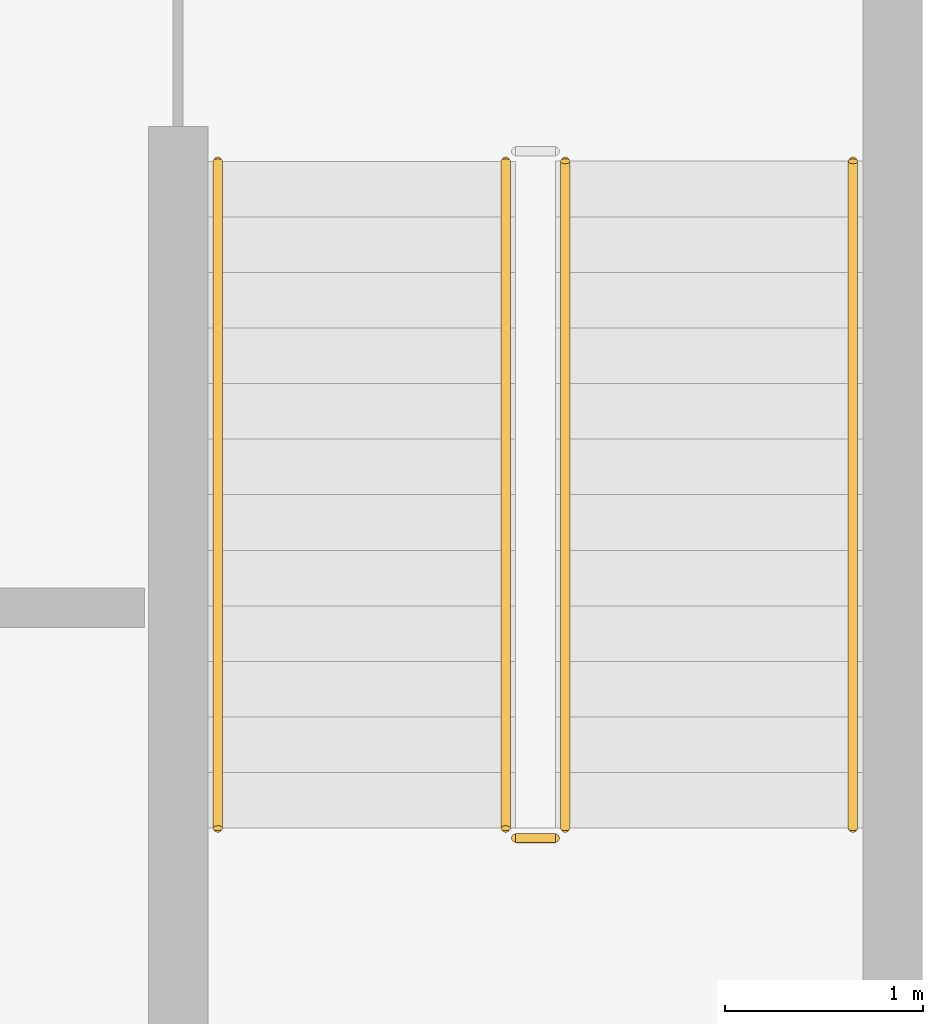
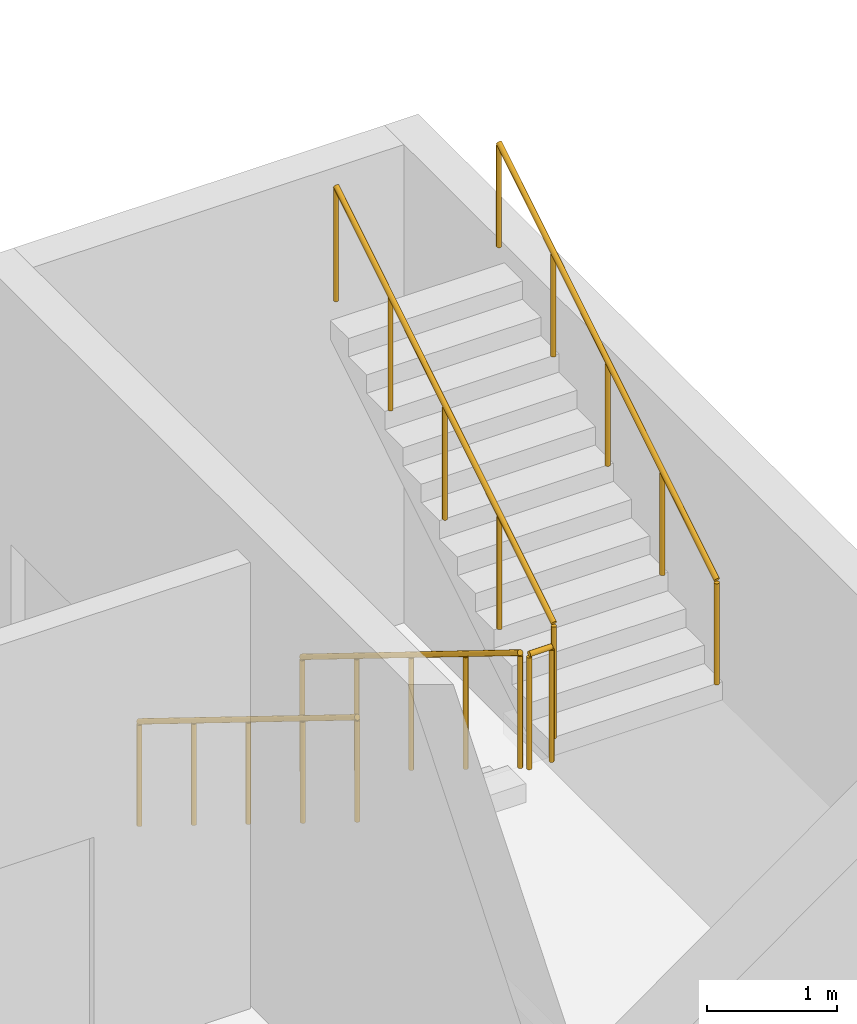
# One storey, part 4 of 7: 5 railings.
"""IFC4 building model written with IfcOpenShell, lengths in metres."""

from ifc_helpers import new_model, si_unit, direction, frame, origin, origin_2d, place, context, subcontext, project, spatial, circle, extrude, material, type_object, element, save


model = new_model("IFC4")

# Units and contexts
model_context = context("Model", 3, precision=1e-05, world=origin(), true_north=direction((0.0, 1.0)))
body_context = subcontext(model_context, "Body", "Model", "MODEL_VIEW")
ifc_project = project(units=[si_unit("LENGTHUNIT", "METRE"), si_unit("AREAUNIT", "SQUARE_METRE"), si_unit("VOLUMEUNIT", "CUBIC_METRE"), si_unit("PLANEANGLEUNIT", "RADIAN"), si_unit("MASSUNIT", "GRAM", prefix="KILO")], contexts=[model_context])

# Site, building, storey
site_placement = place(None, origin())
site = spatial("IfcSite", under=ifc_project, at=site_placement, CompositionType="ELEMENT")
building_placement = place(site_placement, origin())
building = spatial("IfcBuilding", under=site, at=building_placement, Name="Lunette Opera House", CompositionType="ELEMENT")
storey_placement = place(building_placement, frame((0.0, 0.0, -10.5)))
storey = spatial("IfcBuildingStorey", under=building, at=storey_placement, Name="B2", CompositionType="ELEMENT", Elevation=-10.5)

# Railings
ifc_material_1 = material(Name="Steel S355", Category="steel")
railing_type_1 = type_object("IfcRailingType", Name="STAIR GUARD 1100", PredefinedType="GUARDRAIL", material=ifc_material_1)
railing_1_placement = place(storey_placement, frame((115.89990234375, 128.14990234375, 0.173095703125)))
element("IfcRailing", 1, at=railing_1_placement, inside=storey, type_object=railing_type_1, Name="B2 ST12 stair guard 1", PredefinedType="GUARDRAIL", context=body_context, shape_type="SweptSolid", body=[
    extrude(circle(Radius=0.02392578125, at=origin_2d()), frame((0.0, 0.0, 1.076171875), z_axis=(0.0, -0.850606129759, 0.525803396734), x_axis=(1.0, 0.0, 0.0)), (0.0, 0.0, 1.0), 3.949951171875),
    extrude(circle(Radius=0.02099609375, at=origin_2d()), origin(), (0.0, 0.0, 1.0), 1.052001953125),
    extrude(circle(Radius=0.02099609375, at=origin_2d()), frame((0.0, -0.83984375, 0.519287109375)), (0.0, 0.0, 1.0), 1.052001953125),
    extrude(circle(Radius=0.02099609375, at=origin_2d()), frame((0.0, -1.679931640625, 1.03857421875)), (0.0, 0.0, 1.0), 1.052001953125),
    extrude(circle(Radius=0.02099609375, at=origin_2d()), frame((0.0, -2.52001953125, 1.5576171875)), (0.0, 0.0, 1.0), 1.052001953125),
    extrude(circle(Radius=0.02099609375, at=origin_2d()), frame((0.0, -3.35986328125, 2.076904296875)), (0.0, 0.0, 1.0), 1.052001953125),
])
railing_2_placement = place(storey_placement, frame((115.949951171875, 124.739990234375, 2.25)))
element("IfcRailing", 2, at=railing_2_placement, inside=storey, type_object=railing_type_1, Name="B2 ST12 stair guard 2", PredefinedType="GUARDRAIL", context=body_context, shape_type="SweptSolid", body=[
    extrude(circle(Radius=0.02392578125, at=origin_2d()), frame((0.0, 0.0, 1.076171875), z_axis=(1.0, 0.0, 0.0), x_axis=(0.0, 1.0, 0.0)), (0.0, 0.0, 1.0), 0.199951171875),
    extrude(circle(Radius=0.02099609375, at=origin_2d()), origin(), (0.0, 0.0, 1.0), 1.052001953125),
    extrude(circle(Radius=0.02099609375, at=origin_2d()), frame((0.199951171875, 0.0, 0.0)), (0.0, 0.0, 1.0), 1.052001953125),
])
railing_3_placement = place(storey_placement, frame((116.199951171875, 124.7900390625, 2.423095703125)))
element("IfcRailing", 3, at=railing_3_placement, inside=storey, type_object=railing_type_1, Name="B2 ST12 stair guard 3", PredefinedType="GUARDRAIL", context=body_context, shape_type="SweptSolid", body=[
    extrude(circle(Radius=0.02392578125, at=origin_2d()), frame((0.0, 0.0, 1.076171875), z_axis=(0.0, 0.850606129759, 0.525803396734), x_axis=(-1.0, 0.0, 0.0)), (0.0, 0.0, 1.0), 3.949951171875),
    extrude(circle(Radius=0.02099609375, at=origin_2d()), origin(), (0.0, 0.0, 1.0), 1.052001953125),
    extrude(circle(Radius=0.02099609375, at=origin_2d()), frame((0.0, 0.83984375, 0.519287109375)), (0.0, 0.0, 1.0), 1.052001953125),
    extrude(circle(Radius=0.02099609375, at=origin_2d()), frame((0.0, 1.679931640625, 1.03857421875)), (0.0, 0.0, 1.0), 1.052001953125),
    extrude(circle(Radius=0.02099609375, at=origin_2d()), frame((0.0, 2.52001953125, 1.5576171875)), (0.0, 0.0, 1.0), 1.052001953125),
    extrude(circle(Radius=0.02099609375, at=origin_2d()), frame((0.0, 3.35986328125, 2.076904296875)), (0.0, 0.0, 1.0), 1.052001953125),
])
ifc_material_2 = material(Name="Steel S355", Category="steel")
railing_type_2 = type_object("IfcRailingType", Name="STAIR HANDRAIL 1000", PredefinedType="HANDRAIL", material=ifc_material_2)
railing_4_placement = place(storey_placement, frame((114.449951171875, 128.14990234375, 0.173095703125)))
element("IfcRailing", 4, at=railing_4_placement, inside=storey, type_object=railing_type_2, Name="B2 ST12 stair handrail 1", PredefinedType="HANDRAIL", context=body_context, shape_type="SweptSolid", body=[
    extrude(circle(Radius=0.02392578125, at=origin_2d()), frame((0.0, 0.0, 0.97607421875), z_axis=(0.0, -0.850606129759, 0.525803396734), x_axis=(1.0, 0.0, 0.0)), (0.0, 0.0, 1.0), 3.949951171875),
    extrude(circle(Radius=0.02099609375, at=origin_2d()), origin(), (0.0, 0.0, 1.0), 0.951904296875),
    extrude(circle(Radius=0.02099609375, at=origin_2d()), frame((0.0, -0.83984375, 0.519287109375)), (0.0, 0.0, 1.0), 0.951904296875),
    extrude(circle(Radius=0.02099609375, at=origin_2d()), frame((0.0, -1.679931640625, 1.03857421875)), (0.0, 0.0, 1.0), 0.951904296875),
    extrude(circle(Radius=0.02099609375, at=origin_2d()), frame((0.0, -2.52001953125, 1.5576171875)), (0.0, 0.0, 1.0), 0.951904296875),
    extrude(circle(Radius=0.02099609375, at=origin_2d()), frame((0.0, -3.35986328125, 2.076904296875)), (0.0, 0.0, 1.0), 0.951904296875),
])
railing_5_placement = place(storey_placement, frame((117.64990234375, 124.7900390625, 2.423095703125)))
element("IfcRailing", 5, at=railing_5_placement, inside=storey, type_object=railing_type_2, Name="B2 ST12 stair handrail 2", PredefinedType="HANDRAIL", context=body_context, shape_type="SweptSolid", body=[
    extrude(circle(Radius=0.02392578125, at=origin_2d()), frame((0.0, 0.0, 0.97607421875), z_axis=(0.0, 0.850606129759, 0.525803396734), x_axis=(-1.0, 0.0, 0.0)), (0.0, 0.0, 1.0), 3.949951171875),
    extrude(circle(Radius=0.02099609375, at=origin_2d()), origin(), (0.0, 0.0, 1.0), 0.951904296875),
    extrude(circle(Radius=0.02099609375, at=origin_2d()), frame((0.0, 0.83984375, 0.519287109375)), (0.0, 0.0, 1.0), 0.951904296875),
    extrude(circle(Radius=0.02099609375, at=origin_2d()), frame((0.0, 1.679931640625, 1.03857421875)), (0.0, 0.0, 1.0), 0.951904296875),
    extrude(circle(Radius=0.02099609375, at=origin_2d()), frame((0.0, 2.52001953125, 1.5576171875)), (0.0, 0.0, 1.0), 0.951904296875),
    extrude(circle(Radius=0.02099609375, at=origin_2d()), frame((0.0, 3.35986328125, 2.076904296875)), (0.0, 0.0, 1.0), 0.951904296875),
])

save(model, "model.ifc")
